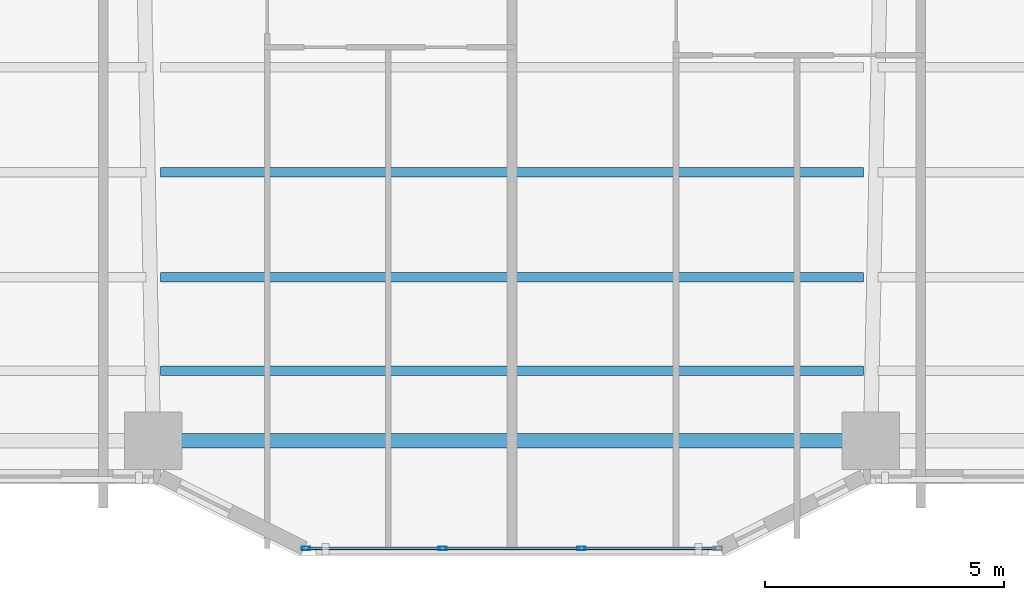
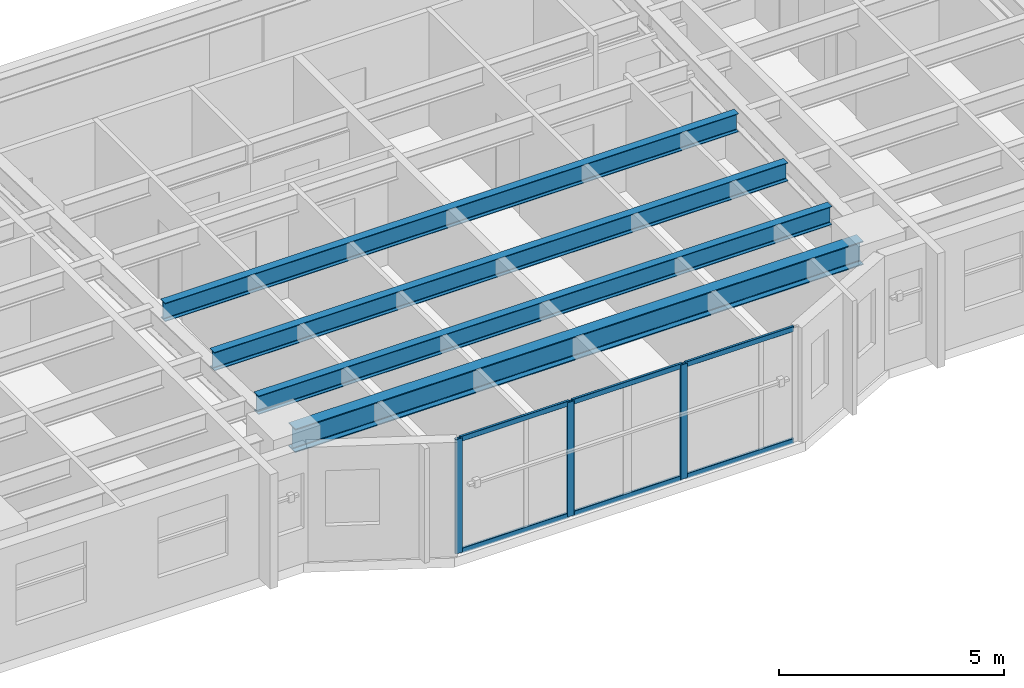
# One storey, part 2 of 21: 9 members, 4 beams, 1 element without a shape of its own.
"""IFC4 building model written with IfcOpenShell, lengths in metres."""

import ifcopenshell
import ifcopenshell.guid

model = None  # the IFC model being written
_history = None  # IfcOwnerHistory: only IFC2X3 demands one
_inside = {}  # id of a spatial element -> (the spatial element, [elements in it])
_under = {}  # id of a project, library or spatial element -> (it, [spatial elements below it])
_declared = {}  # id of a project -> (the project, [libraries it declares])
_typed = {}  # id of a type object -> (the type object, [elements of that type])
_made_of = {}  # id of a material, layer set ... -> (it, [elements and type objects made of it])


def new_model(schema):
    """Start an empty IFC model of exactly this schema.

    Asked for "IFC4X3", IfcOpenShell would pick the latest addendum, in which some entities
    have other attributes; the version numbers below select the first issue.
    IFC2X3 requires an IfcOwnerHistory on every rooted entity: one is made here for all.
    """
    global model, _history
    if schema == "IFC4X3":
        model = ifcopenshell.file(schema_version=(4, 3, 0, 0))
    else:
        model = ifcopenshell.file(schema=schema)
    _inside.clear()
    _under.clear()
    _declared.clear()
    _typed.clear()
    _made_of.clear()
    _history = None
    if model.schema == "IFC2X3":
        org = make("IfcOrganization", Name="unknown")
        user = make(
            "IfcPersonAndOrganization",
            ThePerson=make("IfcPerson", FamilyName="unknown"),
            TheOrganization=org,
        )
        app = make(
            "IfcApplication",
            ApplicationDeveloper=org,
            Version="unknown",
            ApplicationFullName="unknown",
            ApplicationIdentifier="unknown",
        )
        _history = make(
            "IfcOwnerHistory",
            OwningUser=user,
            OwningApplication=app,
            ChangeAction="ADDED",
            CreationDate=0,
        )
    return model


def make(cls, **values):
    """One entity of the class cls with the attributes given. An attribute that is None is left unset."""
    return model.create_entity(
        cls, **{name: value for name, value in values.items() if value is not None}
    )


def rooted(cls, **values):
    """An entity with a GlobalId (a new one), such as an element, a storey or a relation."""
    return make(cls, GlobalId=ifcopenshell.guid.new(), OwnerHistory=_history, **values)


def si_unit(unit_type, name, prefix=None):
    """IfcSIUnit, for example si_unit("LENGTHUNIT", "METRE", prefix="MILLI")."""
    return make("IfcSIUnit", UnitType=unit_type, Prefix=prefix, Name=name)


def assignment(units):
    """IfcUnitAssignment: the units of a project."""
    return None if units is None else make("IfcUnitAssignment", Units=units)


def point(xyz):
    """IfcCartesianPoint."""
    return None if xyz is None else make("IfcCartesianPoint", Coordinates=xyz)


def direction(xyz):
    """IfcDirection."""
    return None if xyz is None else make("IfcDirection", DirectionRatios=xyz)


def frame(location, z_axis=None, x_axis=None):
    """IfcAxis2Placement3D, a coordinate frame: its origin and axes. An axis left out is left unset."""
    return make(
        "IfcAxis2Placement3D",
        Location=point(location),
        Axis=direction(z_axis),
        RefDirection=direction(x_axis),
    )


def frame_2d(location, x_axis=None):
    """IfcAxis2Placement2D, a coordinate frame in the plane: its origin and x axis."""
    return make(
        "IfcAxis2Placement2D", Location=point(location), RefDirection=direction(x_axis)
    )


def origin():
    """The frame at (0, 0, 0) with its axes left unset."""
    return frame((0.0, 0.0, 0.0))


def origin_2d():
    """The frame at (0, 0) in the plane with its x axis left unset."""
    return frame_2d((0.0, 0.0))


def place(relative_to, where):
    """IfcLocalPlacement: puts the frame where relative to a parent placement (None: the world)."""
    return make(
        "IfcLocalPlacement", PlacementRelTo=relative_to, RelativePlacement=where
    )


def context(
    kind, dimensions, precision=None, world=None, true_north=None, identifier=None
):
    """IfcGeometricRepresentationContext, for example the 3D "Model" context."""
    return make(
        "IfcGeometricRepresentationContext",
        ContextIdentifier=identifier,
        ContextType=kind,
        CoordinateSpaceDimension=dimensions,
        Precision=precision,
        WorldCoordinateSystem=world,
        TrueNorth=true_north,
    )


def subcontext(parent, identifier, kind, view, scale=None):
    """IfcGeometricRepresentationSubContext, for example "Body" below "Model"."""
    return make(
        "IfcGeometricRepresentationSubContext",
        ContextIdentifier=identifier,
        ContextType=kind,
        ParentContext=parent,
        TargetScale=scale,
        TargetView=view,
    )


def project(units=None, contexts=None):
    """IfcProject with its units and contexts."""
    return rooted(
        "IfcProject",
        Name="project",
        RepresentationContexts=contexts,
        UnitsInContext=assignment(units),
    )


def spatial(cls, under=None, at=None, **own):
    """A site, building, storey or space (cls), placed at a placement, below another one or the project."""
    s = rooted(cls, ObjectPlacement=at, **own)
    if under is not None:
        _under.setdefault(under.id(), (under, []))[1].append(s)
    return s


def profile(cls, at=None, kind="AREA", **sizes):
    """A parametric profile (cls). Its sizes go by their IFC names, for example OverallWidth=200.0."""
    return make(cls, ProfileType=kind, Position=at, **sizes)


def hollow_rectangle(**sizes):
    """IfcRectangleHollowProfileDef."""
    return profile("IfcRectangleHollowProfileDef", **sizes)


def i_section(**sizes):
    """IfcIShapeProfileDef."""
    return profile("IfcIShapeProfileDef", **sizes)


def extrude(swept, where, along, depth):
    """IfcExtrudedAreaSolid: the profile swept, set in the frame where, extruded along a direction by depth."""
    return make(
        "IfcExtrudedAreaSolid",
        SweptArea=swept,
        Position=where,
        ExtrudedDirection=direction(along),
        Depth=depth,
    )


def shape(context_of_items, identifier, shape_type, items):
    """IfcShapeRepresentation: the items that make up one representation, for example the "Body"."""
    return make(
        "IfcShapeRepresentation",
        ContextOfItems=context_of_items,
        RepresentationIdentifier=identifier,
        RepresentationType=shape_type,
        Items=items,
    )


def material(Name=None, Category=None):
    """IfcMaterial."""
    return make("IfcMaterial", Name=Name, Category=Category)


def layer(
    of_material, thickness, ventilated=None, Name=None, Category=None, Priority=None
):
    """IfcMaterialLayer: one layer of a wall or slab, of a material (None: an air gap)."""
    return make(
        "IfcMaterialLayer",
        Material=of_material,
        LayerThickness=thickness,
        IsVentilated=ventilated,
        Name=Name,
        Category=Category,
        Priority=Priority,
    )


def layer_set(layers, Name=None):
    """IfcMaterialLayerSet."""
    return make("IfcMaterialLayerSet", MaterialLayers=layers, LayerSetName=Name)


def material_profile(
    of_material, cross_section, Name=None, Category=None, Priority=None
):
    """IfcMaterialProfile: a cross section and its material."""
    return make(
        "IfcMaterialProfile",
        Name=Name,
        Material=of_material,
        Profile=cross_section,
        Priority=Priority,
        Category=Category,
    )


def profile_set(profiles, Name=None, composite=None):
    """IfcMaterialProfileSet."""
    return make(
        "IfcMaterialProfileSet",
        Name=Name,
        MaterialProfiles=profiles,
        CompositeProfile=composite,
    )


def made_of(thing, what):
    """Note that an element or type object is made of a material, layer set ...; save() writes the relation."""
    if what is not None:
        _made_of.setdefault(what.id(), (what, []))[1].append(thing)
    return thing


def type_object(cls, material=None, **own):
    """A type object (cls), such as IfcWallType, which elements share."""
    return made_of(rooted(cls, **own), material)


def element(
    cls,
    number,
    at=None,
    inside=None,
    cuts=None,
    type_object=None,
    material=None,
    context=None,
    identifier="Body",
    shape_type=None,
    held_by="IfcProductDefinitionShape",
    body=None,
    shapes=None,
    **own,
):
    """One element of the class cls, such as IfcWall. Its Tag is "e" and its number.

    at: its placement. inside: the storey or other place that contains it. cuts: it is an
    opening in that element (IfcRelVoidsElement). A single representation is given by context,
    identifier, shape_type and body (its items); several are given by shapes. held_by: the class
    of the entity that holds the representations. save() writes the other relations.
    """
    e = rooted(cls, Tag="e%d" % number, ObjectPlacement=at, **own)
    if body is not None:
        shapes = [shape(context, identifier, shape_type, body)]
    if shapes is not None:
        e.Representation = make(held_by, Representations=shapes)
    if inside is not None:
        _inside.setdefault(inside.id(), (inside, []))[1].append(e)
    if cuts is not None:
        rooted(
            "IfcRelVoidsElement", RelatingBuildingElement=cuts, RelatedOpeningElement=e
        )
    if type_object is not None:
        _typed.setdefault(type_object.id(), (type_object, []))[1].append(e)
    return made_of(e, material)


def aggregate(whole, parts):
    """IfcRelAggregates: a whole, such as a stair, and the parts it consists of."""
    return rooted("IfcRelAggregates", RelatingObject=whole, RelatedObjects=parts)


def save(model, path):
    """Write the relations noted so far, then the file.

    IfcRelAggregates (storeys below a building ...), IfcRelContainedInSpatialStructure (elements
    in a storey), IfcRelDefinesByType, IfcRelAssociatesMaterial and IfcRelDeclares: one each for
    every whole, place, type object, material and project.
    """
    for whole, parts in _under.values():
        aggregate(whole, parts)
    for where, things in _inside.values():
        rooted(
            "IfcRelContainedInSpatialStructure",
            RelatedElements=things,
            RelatingStructure=where,
        )
    for kind, things in _typed.values():
        rooted("IfcRelDefinesByType", RelatedObjects=things, RelatingType=kind)
    for what, things in _made_of.values():
        rooted("IfcRelAssociatesMaterial", RelatedObjects=things, RelatingMaterial=what)
    for by, libraries in _declared.values():
        rooted("IfcRelDeclares", RelatingContext=by, RelatedDefinitions=libraries)
    model.write(path)


model = new_model("IFC4")

# Units and contexts
model_context = context("Model", 3, precision=1e-05, world=origin(), true_north=direction((0.0, 1.0)))
body_context = subcontext(model_context, "Body", "Model", "MODEL_VIEW")
ifc_project = project(units=[si_unit("LENGTHUNIT", "METRE"), si_unit("AREAUNIT", "SQUARE_METRE"), si_unit("VOLUMEUNIT", "CUBIC_METRE"), si_unit("PLANEANGLEUNIT", "RADIAN"), si_unit("MASSUNIT", "GRAM", prefix="KILO")], contexts=[model_context])

# Site, building, storey
site_placement = place(None, origin())
site = spatial("IfcSite", under=ifc_project, at=site_placement, CompositionType="ELEMENT")
building_placement = place(site_placement, origin())
building = spatial("IfcBuilding", under=site, at=building_placement, Name="Tarnavaz Court Tower", CompositionType="ELEMENT")
storey_placement = place(building_placement, frame((0.0, 0.0, 24.0)))
storey = spatial("IfcBuildingStorey", under=building, at=storey_placement, Name="L05", CompositionType="ELEMENT", Elevation=24.0)

# Beams
ifc_material_1 = material(Name="Steel S355", Category="steel")
ifc_material_profile_1 = material_profile(ifc_material_1, i_section(OverallWidth=0.199951171875, OverallDepth=0.5, WebThickness=0.01025390625, FlangeThickness=0.01611328125, FilletRadius=0.02099609375, at=origin_2d()), Name="IPE 500")
ifc_profile_set_1 = profile_set([ifc_material_profile_1], Name="Steel S355")
beam_type_1 = type_object("IfcBeamType", Name="BM-J-IPE500", PredefinedType="JOIST", material=ifc_profile_set_1)
for number, where, z_axis, x_axis, name in (
    (1, (-7.35009765625, -17.18798828125, 2.85009765625), (1.0, 0.0, 0.0), (0.0, 1.0, 0.0), "L05 Beam JS3-2"),
    (2, (-7.35009765625, -19.384033203125, 2.85009765625), (1.0, 0.0, 0.0), (0.0, 1.0, 0.0), "L05 Beam JS4-2"),
    (3, (-7.35009765625, -21.3359375, 2.85009765625), (1.0, 0.0, 0.0), (0.0, 1.0, 0.0), "L05 Beam JS5-2"),
):
    element("IfcBeam", number, at=place(storey_placement, frame(where, z_axis=z_axis, x_axis=x_axis)), inside=storey, type_object=beam_type_1, Name=name, PredefinedType="JOIST", context=body_context, shape_type="SweptSolid", body=[
        extrude(i_section(OverallWidth=0.199951171875, OverallDepth=0.5, WebThickness=0.01025390625, FlangeThickness=0.01611328125, FilletRadius=0.02099609375, at=origin_2d()), origin(), (0.0, 0.0, 1.0), 14.7001953125),
    ])
ifc_material_profile_2 = material_profile(ifc_material_1, i_section(OverallWidth=0.300048828125, OverallDepth=0.639892578125, WebThickness=0.013427734375, FlangeThickness=0.02587890625, FilletRadius=0.027099609375, at=origin_2d()), Name="HEA 650")
ifc_profile_set_2 = profile_set([ifc_material_profile_2], Name="Steel S355")
beam_type_2 = type_object("IfcBeamType", Name="BM-SP-HEA650", PredefinedType="SPANDREL", material=ifc_profile_set_2)
beam_placement = place(storey_placement, frame((-7.280029296875, -22.800048828125, 2.780029296875), z_axis=(1.0, 0.0, 0.0), x_axis=(0.0, 1.0, 0.0)))
element("IfcBeam", 4, at=beam_placement, inside=storey, type_object=beam_type_2, Name="L05 Beam PR-PS-2-PS-3", PredefinedType="SPANDREL", context=body_context, shape_type="SweptSolid", body=[
    extrude(i_section(OverallWidth=0.300048828125, OverallDepth=0.639892578125, WebThickness=0.013427734375, FlangeThickness=0.02587890625, FilletRadius=0.027099609375, at=origin_2d()), origin(), (0.0, 0.0, 1.0), 14.56005859375),
])

# Curtain wall, members
ifc_material_2 = material(Name="Anodised Aluminium 6063-T6 and Solar Low-E Glazing", Category="aluminium")
ifc_layer = layer(ifc_material_2, 0.179931640625)
ifc_layer_set = layer_set([ifc_layer], Name="Anodised Aluminium 6063-T6 and Solar Low-E Glazing")
curtain_wall_type = type_object("IfcCurtainWallType", Name="CW-SYS-02", PredefinedType="NOTDEFINED", material=ifc_layer_set)
curtain_wall_placement = place(storey_placement, origin())
curtain_wall = element("IfcCurtainWall", 5, at=curtain_wall_placement, inside=storey, type_object=curtain_wall_type, Name="L05 Iwan Prow Curtain Wall 17", PredefinedType="NOTDEFINED")
ifc_material_3 = material(Name="Anodised Aluminium 6063-T6", Category="aluminium")
ifc_material_profile_3 = material_profile(ifc_material_3, hollow_rectangle(XDim=0.074951171875, YDim=0.179931640625, WallThickness=0.0048828125, InnerFilletRadius=0.0048828125, OuterFilletRadius=0.010009765625, at=origin_2d()), Name="ALU RHS 180X75X5")
ifc_profile_set_3 = profile_set([ifc_material_profile_3], Name="Anodised Aluminium 6063-T6")
member_type_1 = type_object("IfcMemberType", Name="CW-MUL-180", PredefinedType="MULLION", material=ifc_profile_set_3)
member_1_placement = place(storey_placement, frame((1.449951171875, -25.050048828125, 0.0), z_axis=(0.0, 0.0, 1.0), x_axis=(0.0, -1.0, 0.0)))
member_1 = element("IfcMember", 6, at=member_1_placement, type_object=member_type_1, Name="CW mullion 2", PredefinedType="MULLION", context=body_context, shape_type="SweptSolid", body=[
    extrude(hollow_rectangle(XDim=0.074951171875, YDim=0.179931640625, WallThickness=0.0048828125, InnerFilletRadius=0.0048828125, OuterFilletRadius=0.010009765625, at=origin_2d()), origin(), (0.0, 0.0, 1.0), 3.10009765625),
])
member_2_placement = place(storey_placement, frame((-1.449951171875, -25.050048828125, 0.0), z_axis=(0.0, 0.0, 1.0), x_axis=(0.0, -1.0, 0.0)))
member_2 = element("IfcMember", 7, at=member_2_placement, type_object=member_type_1, Name="CW mullion 3", PredefinedType="MULLION", context=body_context, shape_type="SweptSolid", body=[
    extrude(hollow_rectangle(XDim=0.074951171875, YDim=0.179931640625, WallThickness=0.0048828125, InnerFilletRadius=0.0048828125, OuterFilletRadius=0.010009765625, at=origin_2d()), origin(), (0.0, 0.0, 1.0), 3.10009765625),
])
member_3_placement = place(storey_placement, frame((-4.3125, -25.050048828125, 0.0), z_axis=(0.0, 0.0, 1.0), x_axis=(0.0, -1.0, 0.0)))
member_3 = element("IfcMember", 8, at=member_3_placement, type_object=member_type_1, Name="CW mullion 4", PredefinedType="MULLION", context=body_context, shape_type="SweptSolid", body=[
    extrude(hollow_rectangle(XDim=0.074951171875, YDim=0.179931640625, WallThickness=0.0048828125, InnerFilletRadius=0.0048828125, OuterFilletRadius=0.010009765625, at=origin_2d()), origin(), (0.0, 0.0, 1.0), 3.10009765625),
])
ifc_material_profile_4 = material_profile(ifc_material_3, hollow_rectangle(XDim=0.06494140625, YDim=0.139892578125, WallThickness=0.00390625, InnerFilletRadius=0.00390625, OuterFilletRadius=0.008056640625, at=origin_2d()), Name="ALU RHS 140X65X4")
ifc_profile_set_4 = profile_set([ifc_material_profile_4], Name="Anodised Aluminium 6063-T6")
member_type_2 = type_object("IfcMemberType", Name="CW-TRN-140", PredefinedType="USERDEFINED", material=ifc_profile_set_4)
member_4_placement = place(storey_placement, frame((4.27490234375, -25.050048828125, 0.032470703125), z_axis=(-1.0, 0.0, 0.0), x_axis=(0.0, -1.0, 0.0)))
member_4 = element("IfcMember", 9, at=member_4_placement, type_object=member_type_2, Name="CW transom 1.1", ObjectType="TRANSOM", PredefinedType="USERDEFINED", context=body_context, shape_type="SweptSolid", body=[
    extrude(hollow_rectangle(XDim=0.06494140625, YDim=0.139892578125, WallThickness=0.00390625, InnerFilletRadius=0.00390625, OuterFilletRadius=0.008056640625, at=origin_2d()), origin(), (0.0, 0.0, 1.0), 2.787353515625),
])
member_5_placement = place(storey_placement, frame((4.27490234375, -25.050048828125, 3.0673828125), z_axis=(-1.0, 0.0, 0.0), x_axis=(0.0, -1.0, 0.0)))
member_5 = element("IfcMember", 10, at=member_5_placement, type_object=member_type_2, Name="CW transom 1.2", ObjectType="TRANSOM", PredefinedType="USERDEFINED", context=body_context, shape_type="SweptSolid", body=[
    extrude(hollow_rectangle(XDim=0.06494140625, YDim=0.139892578125, WallThickness=0.00390625, InnerFilletRadius=0.00390625, OuterFilletRadius=0.008056640625, at=origin_2d()), origin(), (0.0, 0.0, 1.0), 2.787353515625),
])
member_6_placement = place(storey_placement, frame((1.41259765625, -25.050048828125, 0.032470703125), z_axis=(-1.0, 0.0, 0.0), x_axis=(0.0, -1.0, 0.0)))
member_6 = element("IfcMember", 11, at=member_6_placement, type_object=member_type_2, Name="CW transom 2.1", ObjectType="TRANSOM", PredefinedType="USERDEFINED", context=body_context, shape_type="SweptSolid", body=[
    extrude(hollow_rectangle(XDim=0.06494140625, YDim=0.139892578125, WallThickness=0.00390625, InnerFilletRadius=0.00390625, OuterFilletRadius=0.008056640625, at=origin_2d()), origin(), (0.0, 0.0, 1.0), 2.8251953125),
])
member_7_placement = place(storey_placement, frame((1.41259765625, -25.050048828125, 3.0673828125), z_axis=(-1.0, 0.0, 0.0), x_axis=(0.0, -1.0, 0.0)))
member_7 = element("IfcMember", 12, at=member_7_placement, type_object=member_type_2, Name="CW transom 2.2", ObjectType="TRANSOM", PredefinedType="USERDEFINED", context=body_context, shape_type="SweptSolid", body=[
    extrude(hollow_rectangle(XDim=0.06494140625, YDim=0.139892578125, WallThickness=0.00390625, InnerFilletRadius=0.00390625, OuterFilletRadius=0.008056640625, at=origin_2d()), origin(), (0.0, 0.0, 1.0), 2.8251953125),
])
member_8_placement = place(storey_placement, frame((-1.487548828125, -25.050048828125, 0.032470703125), z_axis=(-1.0, 0.0, 0.0), x_axis=(0.0, -1.0, 0.0)))
member_8 = element("IfcMember", 13, at=member_8_placement, type_object=member_type_2, Name="CW transom 3.1", ObjectType="TRANSOM", PredefinedType="USERDEFINED", context=body_context, shape_type="SweptSolid", body=[
    extrude(hollow_rectangle(XDim=0.06494140625, YDim=0.139892578125, WallThickness=0.00390625, InnerFilletRadius=0.00390625, OuterFilletRadius=0.008056640625, at=origin_2d()), origin(), (0.0, 0.0, 1.0), 2.787353515625),
])
member_9_placement = place(storey_placement, frame((-1.487548828125, -25.050048828125, 3.0673828125), z_axis=(-1.0, 0.0, 0.0), x_axis=(0.0, -1.0, 0.0)))
member_9 = element("IfcMember", 14, at=member_9_placement, type_object=member_type_2, Name="CW transom 3.2", ObjectType="TRANSOM", PredefinedType="USERDEFINED", context=body_context, shape_type="SweptSolid", body=[
    extrude(hollow_rectangle(XDim=0.06494140625, YDim=0.139892578125, WallThickness=0.00390625, InnerFilletRadius=0.00390625, OuterFilletRadius=0.008056640625, at=origin_2d()), origin(), (0.0, 0.0, 1.0), 2.787353515625),
])
aggregate(curtain_wall, [member_1, member_2, member_3, member_4, member_5, member_6, member_7, member_8, member_9])

save(model, "model.ifc")
